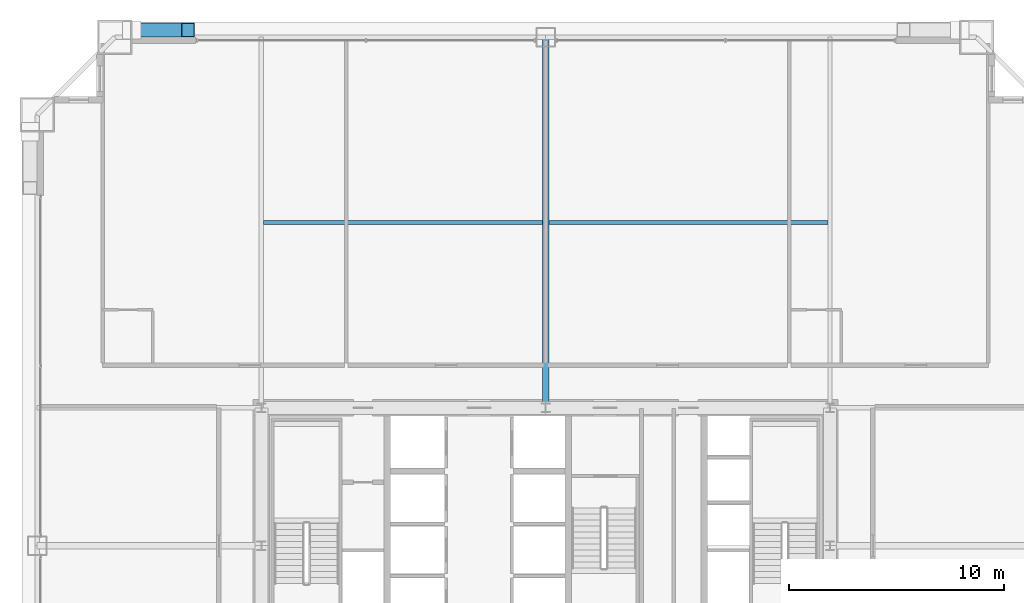
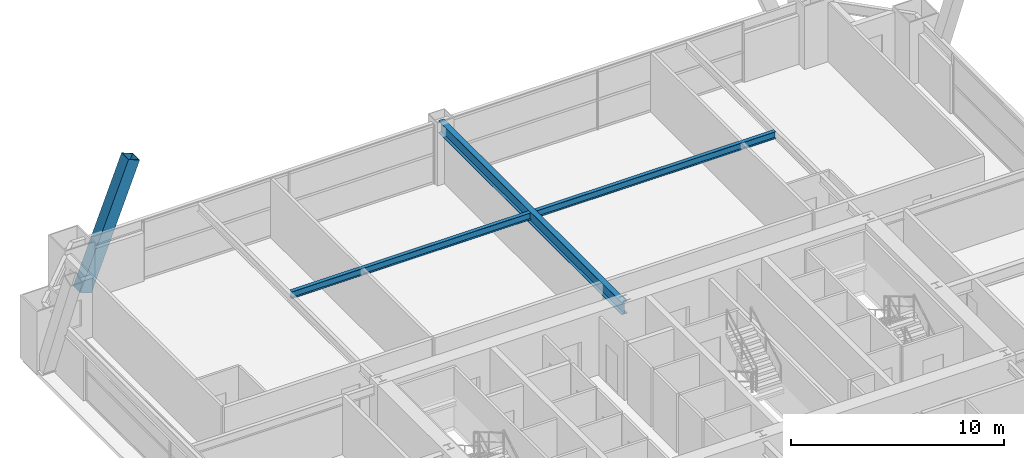
# One storey, part 26 of 43: 3 beams, 1 member.
"""IFC4 building model written with IfcOpenShell, lengths in metres."""

from ifc_helpers import new_model, si_unit, direction, frame, origin, origin_2d, place, context, subcontext, project, spatial, hollow_rectangle, i_section, extrude, source, transform, mapped, material, material_profile, profile_set, type_object, element, save


model = new_model("IFC4")

# Units and contexts
model_context = context("Model", 3, precision=1e-05, world=origin(), true_north=direction((0.0, 1.0)))
body_context = subcontext(model_context, "Body", "Model", "MODEL_VIEW")
ifc_project = project(units=[si_unit("LENGTHUNIT", "METRE"), si_unit("AREAUNIT", "SQUARE_METRE"), si_unit("VOLUMEUNIT", "CUBIC_METRE"), si_unit("PLANEANGLEUNIT", "RADIAN"), si_unit("MASSUNIT", "GRAM", prefix="KILO"), si_unit("THERMODYNAMICTEMPERATUREUNIT", "KELVIN"), si_unit("POWERUNIT", "WATT")], contexts=[model_context])

# Site, building, storey
site_placement = place(None, origin())
site = spatial("IfcSite", under=ifc_project, at=site_placement, CompositionType="ELEMENT")
building_placement = place(site_placement, origin())
building = spatial("IfcBuilding", under=site, at=building_placement, Name="Yuzanri Waterfront Tower", CompositionType="ELEMENT")
storey_placement = place(building_placement, frame((0.0, 0.0, 101.0)))
storey = spatial("IfcBuildingStorey", under=building, at=storey_placement, Name="L26", CompositionType="ELEMENT", Elevation=101.0)

# Beams
ifc_material_1 = material(Name="Steel Q355B", Category="steel")
ifc_material_profile_1 = material_profile(ifc_material_1, i_section(OverallWidth=0.199951171875, OverallDepth=0.39990234375, WebThickness=0.008056640625, FlangeThickness=0.012939453125, at=origin_2d()), Name="HN 400x200x8x13")
ifc_profile_set_1 = profile_set([ifc_material_profile_1], Name="Steel Q355B")
beam_type_1 = type_object("IfcBeamType", Name="Floor Joist Q355B HN 400x200", PredefinedType="JOIST", material=ifc_profile_set_1)
shared_shape_1 = source(origin(), body_context, "Body", "SweptSolid", [
    extrude(i_section(OverallWidth=0.199951171875, OverallDepth=0.39990234375, WebThickness=0.008056640625, FlangeThickness=0.012939453125, at=origin_2d()), origin(), (0.0, 0.0, 1.0), 12.9501953125),
])
for number, where, z_axis, x_axis, name in (
    (1, (23.89990234375, 40.800048828125, 3.179931640625), (1.0, 0.0, 0.0), (0.0, 1.0, 0.0), "L26 North Bay Joist W"),
    (2, (37.14990234375, 40.800048828125, 3.179931640625), (1.0, 0.0, 0.0), (0.0, 1.0, 0.0), "L26 North Bay Joist E"),
):
    element("IfcBeam", number, at=place(storey_placement, frame(where, z_axis=z_axis, x_axis=x_axis)), inside=storey, type_object=beam_type_1, Name=name, PredefinedType="JOIST", context=body_context, shape_type="MappedRepresentation", body=[
        mapped(shared_shape_1, transform((0.0, 0.0, 0.0), scale=1.0)),
    ])
ifc_material_2 = material(Name="Steel Q355B", Category="steel")
ifc_material_profile_2 = material_profile(ifc_material_2, i_section(OverallWidth=0.300048828125, OverallDepth=0.699951171875, WebThickness=0.012939453125, FlangeThickness=0.02392578125, at=origin_2d()), Name="HN 700x300x13x24")
ifc_profile_set_2 = profile_set([ifc_material_profile_2], Name="Steel Q355B")
beam_type_2 = type_object("IfcBeamType", Name="Primary Floor Girder Q355B HN 700x300", PredefinedType="BEAM", material=ifc_profile_set_2)
shared_shape_2 = source(origin(), body_context, "Body", "SweptSolid", [
    extrude(i_section(OverallWidth=0.300048828125, OverallDepth=0.699951171875, WebThickness=0.012939453125, FlangeThickness=0.02392578125, at=origin_2d()), origin(), (0.0, 0.0, 1.0), 17.199951171875),
])
beam_placement = place(storey_placement, frame((37.0, 32.199951171875, 3.030029296875), z_axis=(0.0, 1.0, 0.0), x_axis=(-1.0, 0.0, 0.0)))
element("IfcBeam", 3, at=beam_placement, inside=storey, type_object=beam_type_2, Name="L26 North Grid Girder", PredefinedType="BEAM", context=body_context, shape_type="MappedRepresentation", body=[
    mapped(shared_shape_2, transform((0.0, 0.0, 0.0), scale=1.0)),
])

# Member
ifc_material_3 = material(Name="Steel Q420GJC", Category="steel")
ifc_material_profile_3 = material_profile(ifc_material_3, hollow_rectangle(XDim=0.64990234375, YDim=0.64990234375, WallThickness=0.028076171875, at=origin_2d()), Name="RHS 650x650x28")
ifc_profile_set_3 = profile_set([ifc_material_profile_3], Name="Steel Q420GJC")
member_type = type_object("IfcMemberType", Name="Mega Brace Lower Q420GJC RHS 650x650x28", PredefinedType="BRACE", material=ifc_profile_set_3)
shared_shape_3 = source(origin(), body_context, "Body", "SweptSolid", [
    extrude(hollow_rectangle(XDim=0.64990234375, YDim=0.64990234375, WallThickness=0.028076171875, at=origin_2d()), origin(), (0.0, 0.0, 1.0), 7.19384765625),
])
member_placement = place(storey_placement, frame((17.780029296875, 49.739990234375, 0.179931640625), z_axis=(0.36417668996, 0.0, 0.9313298763), x_axis=(0.0, 1.0, 0.0)))
element("IfcMember", 4, at=member_placement, inside=storey, type_object=member_type, Name="L26-L27 Perimeter Mega-Brace N-L", PredefinedType="BRACE", context=body_context, shape_type="MappedRepresentation", body=[
    mapped(shared_shape_3, transform((0.0, 0.0, 0.0), scale=1.0)),
])

save(model, "model.ifc")
